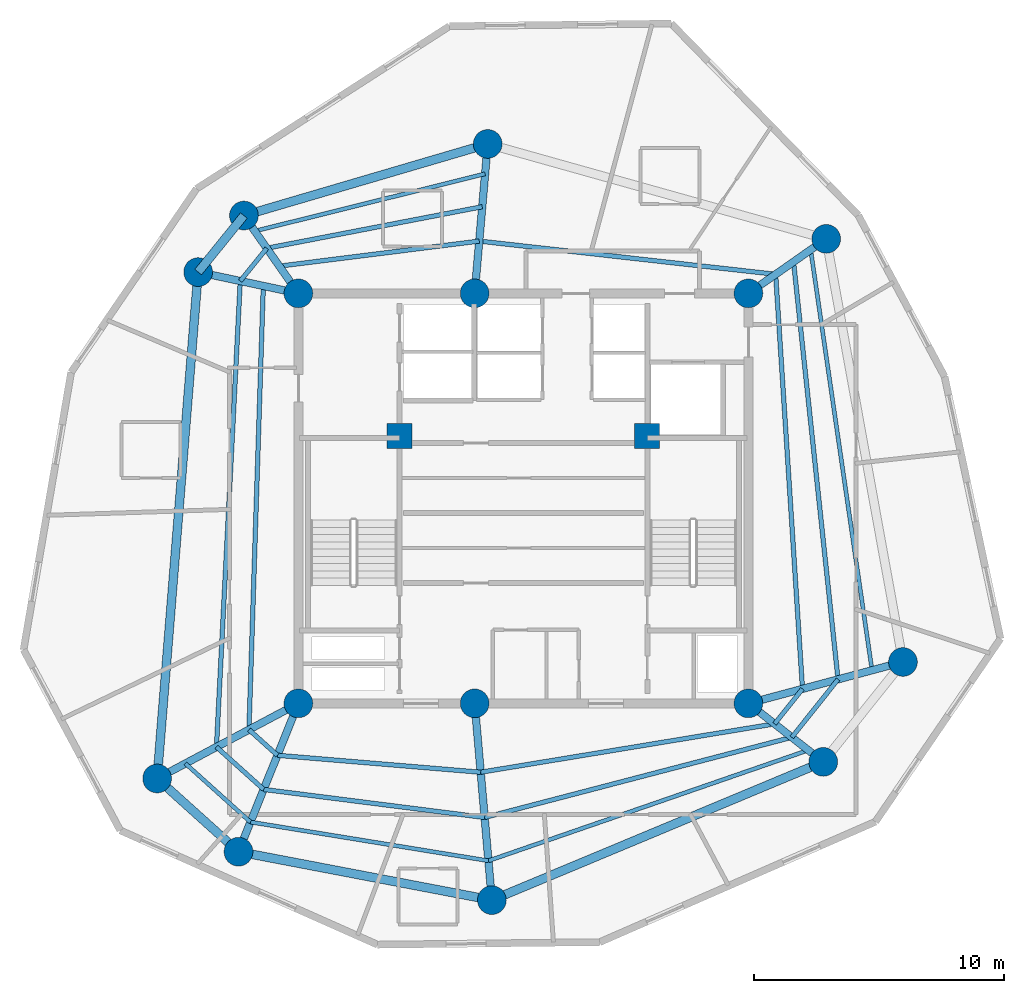
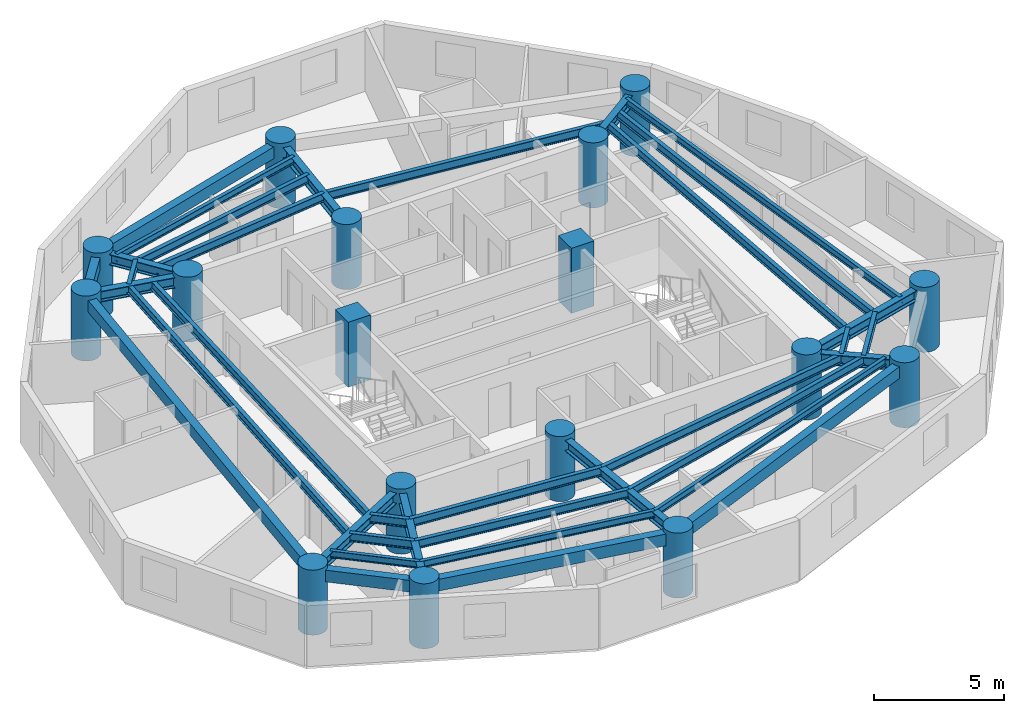
# One storey, part 1 of 7: 36 beams, 17 columns.
"""IFC4 building model written with IfcOpenShell, lengths in metres."""

import ifcopenshell
import ifcopenshell.guid

model = None  # the IFC model being written
_history = None  # IfcOwnerHistory: only IFC2X3 demands one
_inside = {}  # id of a spatial element -> (the spatial element, [elements in it])
_under = {}  # id of a project, library or spatial element -> (it, [spatial elements below it])
_declared = {}  # id of a project -> (the project, [libraries it declares])
_typed = {}  # id of a type object -> (the type object, [elements of that type])
_made_of = {}  # id of a material, layer set ... -> (it, [elements and type objects made of it])


def new_model(schema):
    """Start an empty IFC model of exactly this schema.

    Asked for "IFC4X3", IfcOpenShell would pick the latest addendum, in which some entities
    have other attributes; the version numbers below select the first issue.
    IFC2X3 requires an IfcOwnerHistory on every rooted entity: one is made here for all.
    """
    global model, _history
    if schema == "IFC4X3":
        model = ifcopenshell.file(schema_version=(4, 3, 0, 0))
    else:
        model = ifcopenshell.file(schema=schema)
    _inside.clear()
    _under.clear()
    _declared.clear()
    _typed.clear()
    _made_of.clear()
    _history = None
    if model.schema == "IFC2X3":
        org = make("IfcOrganization", Name="unknown")
        user = make(
            "IfcPersonAndOrganization",
            ThePerson=make("IfcPerson", FamilyName="unknown"),
            TheOrganization=org,
        )
        app = make(
            "IfcApplication",
            ApplicationDeveloper=org,
            Version="unknown",
            ApplicationFullName="unknown",
            ApplicationIdentifier="unknown",
        )
        _history = make(
            "IfcOwnerHistory",
            OwningUser=user,
            OwningApplication=app,
            ChangeAction="ADDED",
            CreationDate=0,
        )
    return model


def make(cls, **values):
    """One entity of the class cls with the attributes given. An attribute that is None is left unset."""
    return model.create_entity(
        cls, **{name: value for name, value in values.items() if value is not None}
    )


def rooted(cls, **values):
    """An entity with a GlobalId (a new one), such as an element, a storey or a relation."""
    return make(cls, GlobalId=ifcopenshell.guid.new(), OwnerHistory=_history, **values)


def si_unit(unit_type, name, prefix=None):
    """IfcSIUnit, for example si_unit("LENGTHUNIT", "METRE", prefix="MILLI")."""
    return make("IfcSIUnit", UnitType=unit_type, Prefix=prefix, Name=name)


def assignment(units):
    """IfcUnitAssignment: the units of a project."""
    return None if units is None else make("IfcUnitAssignment", Units=units)


def point(xyz):
    """IfcCartesianPoint."""
    return None if xyz is None else make("IfcCartesianPoint", Coordinates=xyz)


def direction(xyz):
    """IfcDirection."""
    return None if xyz is None else make("IfcDirection", DirectionRatios=xyz)


def frame(location, z_axis=None, x_axis=None):
    """IfcAxis2Placement3D, a coordinate frame: its origin and axes. An axis left out is left unset."""
    return make(
        "IfcAxis2Placement3D",
        Location=point(location),
        Axis=direction(z_axis),
        RefDirection=direction(x_axis),
    )


def frame_2d(location, x_axis=None):
    """IfcAxis2Placement2D, a coordinate frame in the plane: its origin and x axis."""
    return make(
        "IfcAxis2Placement2D", Location=point(location), RefDirection=direction(x_axis)
    )


def origin():
    """The frame at (0, 0, 0) with its axes left unset."""
    return frame((0.0, 0.0, 0.0))


def origin_with_axes():
    """The frame at (0, 0, 0) with the z axis (0, 0, 1) and the x axis (1, 0, 0) written out."""
    return frame((0.0, 0.0, 0.0), z_axis=(0.0, 0.0, 1.0), x_axis=(1.0, 0.0, 0.0))


def origin_2d():
    """The frame at (0, 0) in the plane with its x axis left unset."""
    return frame_2d((0.0, 0.0))


def place(relative_to, where):
    """IfcLocalPlacement: puts the frame where relative to a parent placement (None: the world)."""
    return make(
        "IfcLocalPlacement", PlacementRelTo=relative_to, RelativePlacement=where
    )


def context(
    kind, dimensions, precision=None, world=None, true_north=None, identifier=None
):
    """IfcGeometricRepresentationContext, for example the 3D "Model" context."""
    return make(
        "IfcGeometricRepresentationContext",
        ContextIdentifier=identifier,
        ContextType=kind,
        CoordinateSpaceDimension=dimensions,
        Precision=precision,
        WorldCoordinateSystem=world,
        TrueNorth=true_north,
    )


def subcontext(parent, identifier, kind, view, scale=None):
    """IfcGeometricRepresentationSubContext, for example "Body" below "Model"."""
    return make(
        "IfcGeometricRepresentationSubContext",
        ContextIdentifier=identifier,
        ContextType=kind,
        ParentContext=parent,
        TargetScale=scale,
        TargetView=view,
    )


def project(units=None, contexts=None):
    """IfcProject with its units and contexts."""
    return rooted(
        "IfcProject",
        Name="project",
        RepresentationContexts=contexts,
        UnitsInContext=assignment(units),
    )


def spatial(cls, under=None, at=None, **own):
    """A site, building, storey or space (cls), placed at a placement, below another one or the project."""
    s = rooted(cls, ObjectPlacement=at, **own)
    if under is not None:
        _under.setdefault(under.id(), (under, []))[1].append(s)
    return s


def profile(cls, at=None, kind="AREA", **sizes):
    """A parametric profile (cls). Its sizes go by their IFC names, for example OverallWidth=200.0."""
    return make(cls, ProfileType=kind, Position=at, **sizes)


def rectangle(**sizes):
    """IfcRectangleProfileDef."""
    return profile("IfcRectangleProfileDef", **sizes)


def circle(**sizes):
    """IfcCircleProfileDef."""
    return profile("IfcCircleProfileDef", **sizes)


def i_section(**sizes):
    """IfcIShapeProfileDef."""
    return profile("IfcIShapeProfileDef", **sizes)


def extrude(swept, where, along, depth):
    """IfcExtrudedAreaSolid: the profile swept, set in the frame where, extruded along a direction by depth."""
    return make(
        "IfcExtrudedAreaSolid",
        SweptArea=swept,
        Position=where,
        ExtrudedDirection=direction(along),
        Depth=depth,
    )


def shape(context_of_items, identifier, shape_type, items):
    """IfcShapeRepresentation: the items that make up one representation, for example the "Body"."""
    return make(
        "IfcShapeRepresentation",
        ContextOfItems=context_of_items,
        RepresentationIdentifier=identifier,
        RepresentationType=shape_type,
        Items=items,
    )


def source(mapping_origin, context_of_items, identifier, shape_type, items):
    """IfcRepresentationMap: a shape defined once, which mapped items show again and again."""
    return make(
        "IfcRepresentationMap",
        MappingOrigin=mapping_origin,
        MappedRepresentation=shape(context_of_items, identifier, shape_type, items),
    )


def transform(
    local_origin,
    x_axis=None,
    y_axis=None,
    z_axis=None,
    scale=None,
    scale2=None,
    scale3=None,
    uniform=True,
):
    """IfcCartesianTransformationOperator3D, or its non-uniform kind. x_axis, y_axis, z_axis: its Axis1, 2, 3."""
    if uniform:
        return make(
            "IfcCartesianTransformationOperator3D",
            Axis1=direction(x_axis),
            Axis2=direction(y_axis),
            LocalOrigin=point(local_origin),
            Scale=scale,
            Axis3=direction(z_axis),
        )
    return make(
        "IfcCartesianTransformationOperator3DnonUniform",
        Axis1=direction(x_axis),
        Axis2=direction(y_axis),
        LocalOrigin=point(local_origin),
        Scale=scale,
        Axis3=direction(z_axis),
        Scale2=scale2,
        Scale3=scale3,
    )


def mapped(mapping_source, mapping_target):
    """IfcMappedItem: shows the shape of a source again, moved by a transform."""
    return make(
        "IfcMappedItem", MappingSource=mapping_source, MappingTarget=mapping_target
    )


def material(Name=None, Category=None):
    """IfcMaterial."""
    return make("IfcMaterial", Name=Name, Category=Category)


def material_profile(
    of_material, cross_section, Name=None, Category=None, Priority=None
):
    """IfcMaterialProfile: a cross section and its material."""
    return make(
        "IfcMaterialProfile",
        Name=Name,
        Material=of_material,
        Profile=cross_section,
        Priority=Priority,
        Category=Category,
    )


def profile_set(profiles, Name=None, composite=None):
    """IfcMaterialProfileSet."""
    return make(
        "IfcMaterialProfileSet",
        Name=Name,
        MaterialProfiles=profiles,
        CompositeProfile=composite,
    )


def made_of(thing, what):
    """Note that an element or type object is made of a material, layer set ...; save() writes the relation."""
    if what is not None:
        _made_of.setdefault(what.id(), (what, []))[1].append(thing)
    return thing


def type_object(cls, material=None, **own):
    """A type object (cls), such as IfcWallType, which elements share."""
    return made_of(rooted(cls, **own), material)


def element(
    cls,
    number,
    at=None,
    inside=None,
    cuts=None,
    type_object=None,
    material=None,
    context=None,
    identifier="Body",
    shape_type=None,
    held_by="IfcProductDefinitionShape",
    body=None,
    shapes=None,
    **own,
):
    """One element of the class cls, such as IfcWall. Its Tag is "e" and its number.

    at: its placement. inside: the storey or other place that contains it. cuts: it is an
    opening in that element (IfcRelVoidsElement). A single representation is given by context,
    identifier, shape_type and body (its items); several are given by shapes. held_by: the class
    of the entity that holds the representations. save() writes the other relations.
    """
    e = rooted(cls, Tag="e%d" % number, ObjectPlacement=at, **own)
    if body is not None:
        shapes = [shape(context, identifier, shape_type, body)]
    if shapes is not None:
        e.Representation = make(held_by, Representations=shapes)
    if inside is not None:
        _inside.setdefault(inside.id(), (inside, []))[1].append(e)
    if cuts is not None:
        rooted(
            "IfcRelVoidsElement", RelatingBuildingElement=cuts, RelatedOpeningElement=e
        )
    if type_object is not None:
        _typed.setdefault(type_object.id(), (type_object, []))[1].append(e)
    return made_of(e, material)


def aggregate(whole, parts):
    """IfcRelAggregates: a whole, such as a stair, and the parts it consists of."""
    return rooted("IfcRelAggregates", RelatingObject=whole, RelatedObjects=parts)


def save(model, path):
    """Write the relations noted so far, then the file.

    IfcRelAggregates (storeys below a building ...), IfcRelContainedInSpatialStructure (elements
    in a storey), IfcRelDefinesByType, IfcRelAssociatesMaterial and IfcRelDeclares: one each for
    every whole, place, type object, material and project.
    """
    for whole, parts in _under.values():
        aggregate(whole, parts)
    for where, things in _inside.values():
        rooted(
            "IfcRelContainedInSpatialStructure",
            RelatedElements=things,
            RelatingStructure=where,
        )
    for kind, things in _typed.values():
        rooted("IfcRelDefinesByType", RelatedObjects=things, RelatingType=kind)
    for what, things in _made_of.values():
        rooted("IfcRelAssociatesMaterial", RelatedObjects=things, RelatingMaterial=what)
    for by, libraries in _declared.values():
        rooted("IfcRelDeclares", RelatingContext=by, RelatedDefinitions=libraries)
    model.write(path)


model = new_model("IFC4")

# Units and contexts
model_context = context("Model", 3, precision=1e-05, world=origin(), true_north=direction((0.0, 1.0)))
body_context = subcontext(model_context, "Body", "Model", "MODEL_VIEW")
ifc_project = project(units=[si_unit("LENGTHUNIT", "METRE"), si_unit("AREAUNIT", "SQUARE_METRE"), si_unit("VOLUMEUNIT", "CUBIC_METRE"), si_unit("PLANEANGLEUNIT", "RADIAN"), si_unit("MASSUNIT", "GRAM", prefix="KILO")], contexts=[model_context])

# Site, building, storey
site_placement = place(None, origin())
site = spatial("IfcSite", under=ifc_project, at=site_placement, CompositionType="ELEMENT")
building_placement = place(site_placement, origin())
building = spatial("IfcBuilding", under=site, at=building_placement, Name="Karkom Vertical University and Central Library", CompositionType="ELEMENT")
storey_placement = place(building_placement, frame((0.0, 0.0, 256.550048828125)))
storey = spatial("IfcBuildingStorey", under=building, at=storey_placement, Name="L76", CompositionType="ELEMENT", Elevation=256.550048828125)

# Columns
ifc_material_1 = material(Name="Concrete C50/60", Category="concrete")
ifc_material_profile_1 = material_profile(ifc_material_1, rectangle(XDim=1.0, YDim=1.0, at=origin_2d()), Name="RC-1000x1000")
ifc_profile_set_1 = profile_set([ifc_material_profile_1], Name="Concrete C50/60")
column_type_1 = type_object("IfcColumnType", Name="STR-COL-C-CC2", PredefinedType="COLUMN", material=ifc_profile_set_1)
shared_shape_1 = source(origin_with_axes(), body_context, "Body", "SweptSolid", [
    extrude(rectangle(XDim=1.0, YDim=1.0, at=origin_2d()), origin(), (0.0, 0.0, 1.0), 3.050048828125),
])
for number, where, z_axis, x_axis, name in (
    (1, (23.550048828125, 29.0, 0.0), (0.0, 0.0, 1.0), (1.0, 0.0, 0.0), "Level 76 Core Node Column CC-1"),
    (2, (33.449951171875, 29.0, 0.0), (0.0, 0.0, 1.0), (1.0, 0.0, 0.0), "Level 76 Core Node Column CC-2"),
):
    element("IfcColumn", number, at=place(storey_placement, frame(where, z_axis=z_axis, x_axis=x_axis)), inside=storey, type_object=column_type_1, Name=name, PredefinedType="COLUMN", context=body_context, shape_type="MappedRepresentation", body=[
        mapped(shared_shape_1, transform((0.0, 0.0, 0.0), scale=1.0)),
    ])
ifc_material_2 = material(Name="Concrete C45/55", Category="concrete")
ifc_material_profile_2 = material_profile(ifc_material_2, circle(Radius=0.574951171875, at=origin_2d()), Name="CFT-D1150")
ifc_profile_set_2 = profile_set([ifc_material_profile_2], Name="Concrete C45/55")
column_type_2 = type_object("IfcColumnType", Name="STR-COL-C-SC5", PredefinedType="COLUMN", material=ifc_profile_set_2)
shared_shape_2 = source(origin_with_axes(), body_context, "Body", "SweptSolid", [
    extrude(circle(Radius=0.574951171875, at=origin_2d()), origin(), (0.0, 0.0, 1.0), 3.050048828125),
])
for number, where, z_axis, x_axis, name in (
    (3, (19.5, 18.300048828125, 0.0), (0.0, 0.0, 1.0), (1.0, 0.0, 0.0), "Level 76 Spine Mega-Column SC-1"),
    (4, (26.550048828125, 18.300048828125, 0.0), (0.0, 0.0, 1.0), (1.0, 0.0, 0.0), "Level 76 Spine Mega-Column SC-2"),
    (5, (37.5, 18.300048828125, 0.0), (0.0, 0.0, 1.0), (1.0, 0.0, 0.0), "Level 76 Spine Mega-Column SC-3"),
    (6, (19.5, 34.699951171875, 0.0), (0.0, 0.0, 1.0), (1.0, 0.0, 0.0), "Level 76 Spine Mega-Column SC-4"),
    (7, (26.550048828125, 34.699951171875, 0.0), (0.0, 0.0, 1.0), (1.0, 0.0, 0.0), "Level 76 Spine Mega-Column SC-5"),
    (8, (37.5, 34.699951171875, 0.0), (0.0, 0.0, 1.0), (1.0, 0.0, 0.0), "Level 76 Spine Mega-Column SC-6"),
    (9, (43.681884765625, 19.9560546875, 0.0), (0.0, 0.0, 1.0), (1.0, 0.0, 0.0), "Level 76 Perimeter Mega-Column Z4-PC1"),
    (10, (40.613037109375, 36.8798828125, 0.0), (0.0, 0.0, 1.0), (1.0, 0.0, 0.0), "Level 76 Perimeter Mega-Column Z4-PC2"),
    (11, (27.072998046875, 40.677001953125, 0.0), (0.0, 0.0, 1.0), (1.0, 0.0, 0.0), "Level 76 Perimeter Mega-Column Z4-PC3"),
    (12, (17.320068359375, 37.81298828125, 0.0), (0.0, 0.0, 1.0), (1.0, 0.0, 0.0), "Level 76 Perimeter Mega-Column Z4-PC4"),
    (13, (15.489990234375, 35.552001953125, 0.0), (0.0, 0.0, 1.0), (1.0, 0.0, 0.0), "Level 76 Perimeter Mega-Column Z4-PC5"),
    (14, (13.84912109375, 15.294921875, 0.0), (0.0, 0.0, 1.0), (1.0, 0.0, 0.0), "Level 76 Perimeter Mega-Column Z4-PC6"),
    (15, (17.10302734375, 12.365966796875, 0.0), (0.0, 0.0, 1.0), (1.0, 0.0, 0.0), "Level 76 Perimeter Mega-Column Z4-PC7"),
    (16, (27.239013671875, 10.429931640625, 0.0), (0.0, 0.0, 1.0), (1.0, 0.0, 0.0), "Level 76 Perimeter Mega-Column Z4-PC8"),
    (17, (40.493896484375, 15.9599609375, 0.0), (0.0, 0.0, 1.0), (1.0, 0.0, 0.0), "Level 76 Perimeter Mega-Column Z4-PC9"),
):
    element("IfcColumn", number, at=place(storey_placement, frame(where, z_axis=z_axis, x_axis=x_axis)), inside=storey, type_object=column_type_2, Name=name, PredefinedType="COLUMN", context=body_context, shape_type="MappedRepresentation", body=[
        mapped(shared_shape_2, transform((0.0, 0.0, 0.0), scale=1.0)),
    ])

# Beams
ifc_material_3 = material(Name="Precast concrete C45/55", Category="concrete")
ifc_material_profile_3 = material_profile(ifc_material_3, rectangle(XDim=0.35009765625, YDim=0.550048828125, at=origin_2d()), Name="SPB-350x550")
ifc_profile_set_3 = profile_set([ifc_material_profile_3], Name="Precast concrete C45/55")
beam_type_1 = type_object("IfcBeamType", Name="STR-BM-SP-2", PredefinedType="SPANDREL", material=ifc_profile_set_3)
shared_shape_3 = source(origin_with_axes(), body_context, "Body", "SweptSolid", [
    extrude(rectangle(XDim=0.35009765625, YDim=0.550048828125, at=origin_2d()), origin(), (0.0, 0.0, 1.0), 10.164794921875),
])
beam_1_placement = place(storey_placement, frame((27.072998046875, 40.677001953125, 2.574951171875), z_axis=(-0.959485124536, -0.281759286971, 0.0), x_axis=(0.281759286971, -0.959485124536, 0.0)))
element("IfcBeam", 18, at=beam_1_placement, inside=storey, type_object=beam_type_1, Name="Level 76 Perimeter Spandrel Beam 03", PredefinedType="SPANDREL", context=body_context, shape_type="MappedRepresentation", body=[
    mapped(shared_shape_3, transform((0.0, 0.0, 0.0), scale=1.0)),
])
shared_shape_4 = source(origin_with_axes(), body_context, "Body", "SweptSolid", [
    extrude(rectangle(XDim=0.35009765625, YDim=0.550048828125, at=origin_2d()), origin(), (0.0, 0.0, 1.0), 2.908935546875),
])
beam_2_placement = place(storey_placement, frame((17.320068359375, 37.81298828125, 2.574951171875), z_axis=(-0.629147523747, -0.777285914811, 0.0), x_axis=(0.777285914811, -0.629147523747, 0.0)))
element("IfcBeam", 19, at=beam_2_placement, inside=storey, type_object=beam_type_1, Name="Level 76 Perimeter Spandrel Beam 04", PredefinedType="SPANDREL", context=body_context, shape_type="MappedRepresentation", body=[
    mapped(shared_shape_4, transform((0.0, 0.0, 0.0), scale=1.0)),
])
shared_shape_5 = source(origin_with_axes(), body_context, "Body", "SweptSolid", [
    extrude(rectangle(XDim=0.35009765625, YDim=0.550048828125, at=origin_2d()), origin(), (0.0, 0.0, 1.0), 20.323486328125),
])
beam_3_placement = place(storey_placement, frame((15.489990234375, 35.552001953125, 2.574951171875), z_axis=(-0.080737811681, -0.996735373991, 0.0), x_axis=(0.996735373991, -0.080737811681, 0.0)))
element("IfcBeam", 20, at=beam_3_placement, inside=storey, type_object=beam_type_1, Name="Level 76 Perimeter Spandrel Beam 05", PredefinedType="SPANDREL", context=body_context, shape_type="MappedRepresentation", body=[
    mapped(shared_shape_5, transform((0.0, 0.0, 0.0), scale=1.0)),
])
shared_shape_6 = source(origin_with_axes(), body_context, "Body", "SweptSolid", [
    extrude(rectangle(XDim=0.35009765625, YDim=0.550048828125, at=origin_2d()), origin(), (0.0, 0.0, 1.0), 4.3779296875),
])
beam_4_placement = place(storey_placement, frame((13.84912109375, 15.294921875, 2.574951171875), z_axis=(0.743244232405, -0.669020187287, 0.0), x_axis=(0.669020187287, 0.743244232405, 0.0)))
element("IfcBeam", 21, at=beam_4_placement, inside=storey, type_object=beam_type_1, Name="Level 76 Perimeter Spandrel Beam 06", PredefinedType="SPANDREL", context=body_context, shape_type="MappedRepresentation", body=[
    mapped(shared_shape_6, transform((0.0, 0.0, 0.0), scale=1.0)),
])
shared_shape_7 = source(origin_with_axes(), body_context, "Body", "SweptSolid", [
    extrude(rectangle(XDim=0.35009765625, YDim=0.550048828125, at=origin_2d()), origin(), (0.0, 0.0, 1.0), 10.3193359375),
])
beam_5_placement = place(storey_placement, frame((17.10302734375, 12.365966796875, 2.574951171875), z_axis=(0.982242767385, -0.187614354249, 0.0), x_axis=(0.187614354249, 0.982242767385, 0.0)))
element("IfcBeam", 22, at=beam_5_placement, inside=storey, type_object=beam_type_1, Name="Level 76 Perimeter Spandrel Beam 07", PredefinedType="SPANDREL", context=body_context, shape_type="MappedRepresentation", body=[
    mapped(shared_shape_7, transform((0.0, 0.0, 0.0), scale=1.0)),
])
shared_shape_8 = source(origin_with_axes(), body_context, "Body", "SweptSolid", [
    extrude(rectangle(XDim=0.35009765625, YDim=0.550048828125, at=origin_2d()), origin(), (0.0, 0.0, 1.0), 14.3623046875),
])
beam_6_placement = place(storey_placement, frame((27.239013671875, 10.429931640625, 2.574951171875), z_axis=(0.922899796194, 0.385040213725, 0.0), x_axis=(-0.385040213725, 0.922899796194, 0.0)))
element("IfcBeam", 23, at=beam_6_placement, inside=storey, type_object=beam_type_1, Name="Level 76 Perimeter Spandrel Beam 08", PredefinedType="SPANDREL", context=body_context, shape_type="MappedRepresentation", body=[
    mapped(shared_shape_8, transform((0.0, 0.0, 0.0), scale=1.0)),
])
ifc_material_4 = material(Name="Steel S355", Category="steel")
ifc_material_profile_4 = material_profile(ifc_material_4, i_section(OverallWidth=0.179931640625, OverallDepth=0.39990234375, WebThickness=0.008544921875, FlangeThickness=0.013427734375, FilletRadius=0.02099609375, at=origin_2d()), Name="IPE 400")
ifc_profile_set_4 = profile_set([ifc_material_profile_4], Name="Steel S355")
beam_type_2 = type_object("IfcBeamType", Name="STR-BM-SB-IPE400", PredefinedType="BEAM", material=ifc_profile_set_4)
shared_shape_9 = source(origin_with_axes(), body_context, "Body", "SweptSolid", [
    extrude(i_section(OverallWidth=0.179931640625, OverallDepth=0.39990234375, WebThickness=0.008544921875, FlangeThickness=0.013427734375, FilletRadius=0.02099609375, at=origin_2d()), origin(), (0.0, 0.0, 1.0), 16.617919921875),
])
beam_7_placement = place(storey_placement, frame((39.663818359375, 18.879638671875, 2.64990234375), z_axis=(-0.064641848008, 0.997908528617, 0.0), x_axis=(-0.997908528617, -0.064641848008, 0.0)))
element("IfcBeam", 24, at=beam_7_placement, inside=storey, type_object=beam_type_2, Name="Level 76 Secondary Composite Floor Beam 1.01", PredefinedType="BEAM", context=body_context, shape_type="MappedRepresentation", body=[
    mapped(shared_shape_9, transform((0.0, 0.0, 0.0), scale=1.0)),
])
shared_shape_10 = source(origin_with_axes(), body_context, "Body", "SweptSolid", [
    extrude(i_section(OverallWidth=0.179931640625, OverallDepth=0.39990234375, WebThickness=0.008544921875, FlangeThickness=0.013427734375, FilletRadius=0.02099609375, at=origin_2d()), origin(), (0.0, 0.0, 1.0), 11.9306640625),
])
beam_8_placement = place(storey_placement, frame((38.589599609375, 35.462890625, 2.64990234375), z_axis=(-0.993775454886, 0.11140172919, 0.0), x_axis=(-0.11140172919, -0.993775454886, 0.0)))
element("IfcBeam", 25, at=beam_8_placement, inside=storey, type_object=beam_type_2, Name="Level 76 Secondary Composite Floor Beam 1.02", PredefinedType="BEAM", context=body_context, shape_type="MappedRepresentation", body=[
    mapped(shared_shape_10, transform((0.0, 0.0, 0.0), scale=1.0)),
])
shared_shape_11 = source(origin_with_axes(), body_context, "Body", "SweptSolid", [
    extrude(i_section(OverallWidth=0.179931640625, OverallDepth=0.39990234375, WebThickness=0.008544921875, FlangeThickness=0.013427734375, FilletRadius=0.02099609375, at=origin_2d()), origin(), (0.0, 0.0, 1.0), 8.05859375),
])
beam_9_placement = place(storey_placement, frame((26.733154296875, 36.7919921875, 2.64990234375), z_axis=(-0.99223306826, -0.124392677646, 0.0), x_axis=(0.124392677646, -0.99223306826, 0.0)))
element("IfcBeam", 26, at=beam_9_placement, inside=storey, type_object=beam_type_2, Name="Level 76 Secondary Composite Floor Beam 1.03", PredefinedType="BEAM", context=body_context, shape_type="MappedRepresentation", body=[
    mapped(shared_shape_11, transform((0.0, 0.0, 0.0), scale=1.0)),
])
shared_shape_12 = source(origin_with_axes(), body_context, "Body", "SweptSolid", [
    extrude(i_section(OverallWidth=0.179931640625, OverallDepth=0.39990234375, WebThickness=0.008544921875, FlangeThickness=0.013427734375, FilletRadius=0.02099609375, at=origin_2d()), origin(), (0.0, 0.0, 1.0), 17.75927734375),
])
beam_10_placement = place(storey_placement, frame((18.096435546875, 34.998291015625, 2.64990234375), z_axis=(-0.032333437334, -0.999477137723, 0.0), x_axis=(0.999477137723, -0.032333437334, 0.0)))
element("IfcBeam", 27, at=beam_10_placement, inside=storey, type_object=beam_type_2, Name="Level 76 Secondary Composite Floor Beam 1.05", PredefinedType="BEAM", context=body_context, shape_type="MappedRepresentation", body=[
    mapped(shared_shape_12, transform((0.0, 0.0, 0.0), scale=1.0)),
])
shared_shape_13 = source(origin_with_axes(), body_context, "Body", "SweptSolid", [
    extrude(i_section(OverallWidth=0.179931640625, OverallDepth=0.39990234375, WebThickness=0.008544921875, FlangeThickness=0.013427734375, FilletRadius=0.02099609375, at=origin_2d()), origin(), (0.0, 0.0, 1.0), 1.5322265625),
])
beam_11_placement = place(storey_placement, frame((17.522216796875, 17.248291015625, 2.64990234375), z_axis=(0.743183211059, -0.669087972392, 0.0), x_axis=(0.669087972392, 0.743183211059, 0.0)))
element("IfcBeam", 28, at=beam_11_placement, inside=storey, type_object=beam_type_2, Name="Level 76 Secondary Composite Floor Beam 1.06", PredefinedType="BEAM", context=body_context, shape_type="MappedRepresentation", body=[
    mapped(shared_shape_13, transform((0.0, 0.0, 0.0), scale=1.0)),
])
shared_shape_14 = source(origin_with_axes(), body_context, "Body", "SweptSolid", [
    extrude(i_section(OverallWidth=0.179931640625, OverallDepth=0.39990234375, WebThickness=0.008544921875, FlangeThickness=0.013427734375, FilletRadius=0.02099609375, at=origin_2d()), origin(), (0.0, 0.0, 1.0), 8.15869140625),
])
beam_12_placement = place(storey_placement, frame((18.660888671875, 16.22314453125, 2.64990234375), z_axis=(0.996543694183, -0.083070244882, 0.0), x_axis=(0.083070244882, 0.996543694183, 0.0)))
element("IfcBeam", 29, at=beam_12_placement, inside=storey, type_object=beam_type_2, Name="Level 76 Secondary Composite Floor Beam 1.07", PredefinedType="BEAM", context=body_context, shape_type="MappedRepresentation", body=[
    mapped(shared_shape_14, transform((0.0, 0.0, 0.0), scale=1.0)),
])
shared_shape_15 = source(origin_with_axes(), body_context, "Body", "SweptSolid", [
    extrude(i_section(OverallWidth=0.179931640625, OverallDepth=0.39990234375, WebThickness=0.008544921875, FlangeThickness=0.013427734375, FilletRadius=0.02099609375, at=origin_2d()), origin(), (0.0, 0.0, 1.0), 11.914794921875),
])
beam_13_placement = place(storey_placement, frame((26.791259765625, 15.54541015625, 2.64990234375), z_axis=(0.986717073469, 0.162448197663, 0.0), x_axis=(-0.162448197663, 0.986717073469, 0.0)))
element("IfcBeam", 30, at=beam_13_placement, inside=storey, type_object=beam_type_2, Name="Level 76 Secondary Composite Floor Beam 1.08", PredefinedType="BEAM", context=body_context, shape_type="MappedRepresentation", body=[
    mapped(shared_shape_15, transform((0.0, 0.0, 0.0), scale=1.0)),
])
shared_shape_16 = source(origin_with_axes(), body_context, "Body", "SweptSolid", [
    extrude(i_section(OverallWidth=0.179931640625, OverallDepth=0.39990234375, WebThickness=0.008544921875, FlangeThickness=0.013427734375, FilletRadius=0.02099609375, at=origin_2d()), origin(), (0.0, 0.0, 1.0), 1.789306640625),
])
beam_14_placement = place(storey_placement, frame((38.5478515625, 17.48095703125, 2.64990234375), z_axis=(0.623679519349, 0.781680150154, 0.0), x_axis=(-0.781680150154, 0.623679519349, 0.0)))
element("IfcBeam", 31, at=beam_14_placement, inside=storey, type_object=beam_type_2, Name="Level 76 Secondary Composite Floor Beam 1.09", PredefinedType="BEAM", context=body_context, shape_type="MappedRepresentation", body=[
    mapped(shared_shape_16, transform((0.0, 0.0, 0.0), scale=1.0)),
])
shared_shape_17 = source(origin_with_axes(), body_context, "Body", "SweptSolid", [
    extrude(i_section(OverallWidth=0.179931640625, OverallDepth=0.39990234375, WebThickness=0.008544921875, FlangeThickness=0.013427734375, FilletRadius=0.02099609375, at=origin_2d()), origin(), (0.0, 0.0, 1.0), 16.79833984375),
])
beam_15_placement = place(storey_placement, frame((41.085693359375, 19.260498046875, 2.64990234375), z_axis=(-0.105978377704, 0.994368434464, 0.0), x_axis=(-0.994368434464, -0.105978377704, 0.0)))
element("IfcBeam", 32, at=beam_15_placement, inside=storey, type_object=beam_type_2, Name="Level 76 Secondary Composite Floor Beam 2.01", PredefinedType="BEAM", context=body_context, shape_type="MappedRepresentation", body=[
    mapped(shared_shape_17, transform((0.0, 0.0, 0.0), scale=1.0)),
])
shared_shape_18 = source(origin_with_axes(), body_context, "Body", "SweptSolid", [
    extrude(i_section(OverallWidth=0.179931640625, OverallDepth=0.39990234375, WebThickness=0.008544921875, FlangeThickness=0.013427734375, FilletRadius=0.02099609375, at=origin_2d()), origin(), (0.0, 0.0, 1.0), 8.7763671875),
])
beam_16_placement = place(storey_placement, frame((26.853271484375, 38.166748046875, 2.64990234375), z_axis=(-0.981924209256, -0.189274528862, 0.0), x_axis=(0.189274528862, -0.981924209256, 0.0)))
element("IfcBeam", 33, at=beam_16_placement, inside=storey, type_object=beam_type_2, Name="Level 76 Secondary Composite Floor Beam 2.03", PredefinedType="BEAM", context=body_context, shape_type="MappedRepresentation", body=[
    mapped(shared_shape_18, transform((0.0, 0.0, 0.0), scale=1.0)),
])
shared_shape_19 = source(origin_with_axes(), body_context, "Body", "SweptSolid", [
    extrude(i_section(OverallWidth=0.179931640625, OverallDepth=0.39990234375, WebThickness=0.008544921875, FlangeThickness=0.013427734375, FilletRadius=0.02099609375, at=origin_2d()), origin(), (0.0, 0.0, 1.0), 1.68701171875),
])
beam_17_placement = place(storey_placement, frame((18.235595703125, 36.505615234375, 2.64990234375), z_axis=(-0.629044191861, -0.777369541908, 0.0), x_axis=(0.777369541908, -0.629044191861, 0.0)))
element("IfcBeam", 34, at=beam_17_placement, inside=storey, type_object=beam_type_2, Name="Level 76 Secondary Composite Floor Beam 2.04", PredefinedType="BEAM", context=body_context, shape_type="MappedRepresentation", body=[
    mapped(shared_shape_19, transform((0.0, 0.0, 0.0), scale=1.0)),
])
shared_shape_20 = source(origin_with_axes(), body_context, "Body", "SweptSolid", [
    extrude(i_section(OverallWidth=0.179931640625, OverallDepth=0.39990234375, WebThickness=0.008544921875, FlangeThickness=0.013427734375, FilletRadius=0.02099609375, at=origin_2d()), origin(), (0.0, 0.0, 1.0), 18.661376953125),
])
beam_18_placement = place(storey_placement, frame((17.17431640625, 35.194091796875, 2.64990234375), z_axis=(-0.051009656211, -0.998698160093, 0.0), x_axis=(0.998698160093, -0.051009656211, 0.0)))
element("IfcBeam", 35, at=beam_18_placement, inside=storey, type_object=beam_type_2, Name="Level 76 Secondary Composite Floor Beam 2.05", PredefinedType="BEAM", context=body_context, shape_type="MappedRepresentation", body=[
    mapped(shared_shape_20, transform((0.0, 0.0, 0.0), scale=1.0)),
])
shared_shape_21 = source(origin_with_axes(), body_context, "Body", "SweptSolid", [
    extrude(i_section(OverallWidth=0.179931640625, OverallDepth=0.39990234375, WebThickness=0.008544921875, FlangeThickness=0.013427734375, FilletRadius=0.02099609375, at=origin_2d()), origin(), (0.0, 0.0, 1.0), 2.5390625),
])
beam_19_placement = place(storey_placement, frame((16.222412109375, 16.55712890625, 2.64990234375), z_axis=(0.743246334517, -0.669017851949, 0.0), x_axis=(0.669017851949, 0.743246334517, 0.0)))
element("IfcBeam", 36, at=beam_19_placement, inside=storey, type_object=beam_type_2, Name="Level 76 Secondary Composite Floor Beam 2.06", PredefinedType="BEAM", context=body_context, shape_type="MappedRepresentation", body=[
    mapped(shared_shape_21, transform((0.0, 0.0, 0.0), scale=1.0)),
])
shared_shape_22 = source(origin_with_axes(), body_context, "Body", "SweptSolid", [
    extrude(i_section(OverallWidth=0.179931640625, OverallDepth=0.39990234375, WebThickness=0.008544921875, FlangeThickness=0.013427734375, FilletRadius=0.02099609375, at=origin_2d()), origin(), (0.0, 0.0, 1.0), 8.9111328125),
])
beam_20_placement = place(storey_placement, frame((18.109619140625, 14.8583984375, 2.64990234375), z_axis=(0.992026771403, -0.126027317751, 0.0), x_axis=(0.126027317751, 0.992026771403, 0.0)))
element("IfcBeam", 37, at=beam_20_placement, inside=storey, type_object=beam_type_2, Name="Level 76 Secondary Composite Floor Beam 2.07", PredefinedType="BEAM", context=body_context, shape_type="MappedRepresentation", body=[
    mapped(shared_shape_22, transform((0.0, 0.0, 0.0), scale=1.0)),
])
shared_shape_23 = source(origin_with_axes(), body_context, "Body", "SweptSolid", [
    extrude(i_section(OverallWidth=0.179931640625, OverallDepth=0.39990234375, WebThickness=0.008544921875, FlangeThickness=0.013427734375, FilletRadius=0.02099609375, at=origin_2d()), origin(), (0.0, 0.0, 1.0), 12.69873046875),
])
beam_21_placement = place(storey_placement, frame((26.94970703125, 13.7353515625, 2.64990234375), z_axis=(0.967573974729, 0.252587813301, 0.0), x_axis=(-0.252587813301, 0.967573974729, 0.0)))
element("IfcBeam", 38, at=beam_21_placement, inside=storey, type_object=beam_type_2, Name="Level 76 Secondary Composite Floor Beam 2.08", PredefinedType="BEAM", context=body_context, shape_type="MappedRepresentation", body=[
    mapped(shared_shape_23, transform((0.0, 0.0, 0.0), scale=1.0)),
])
shared_shape_24 = source(origin_with_axes(), body_context, "Body", "SweptSolid", [
    extrude(i_section(OverallWidth=0.179931640625, OverallDepth=0.39990234375, WebThickness=0.008544921875, FlangeThickness=0.013427734375, FilletRadius=0.02099609375, at=origin_2d()), origin(), (0.0, 0.0, 1.0), 2.96484375),
])
beam_22_placement = place(storey_placement, frame((39.236572265625, 16.94287109375, 2.64990234375), z_axis=(0.623670236397, 0.781687556657, 0.0), x_axis=(-0.781687556657, 0.623670236397, 0.0)))
element("IfcBeam", 39, at=beam_22_placement, inside=storey, type_object=beam_type_2, Name="Level 76 Secondary Composite Floor Beam 2.09", PredefinedType="BEAM", context=body_context, shape_type="MappedRepresentation", body=[
    mapped(shared_shape_24, transform((0.0, 0.0, 0.0), scale=1.0)),
])
ifc_material_profile_5 = material_profile(ifc_material_4, i_section(OverallWidth=0.159912109375, OverallDepth=0.330078125, WebThickness=0.007568359375, FlangeThickness=0.011474609375, FilletRadius=0.01806640625, at=origin_2d()), Name="IPE 330")
ifc_profile_set_5 = profile_set([ifc_material_profile_5], Name="Steel S355")
beam_type_3 = type_object("IfcBeamType", Name="STR-BM-SB-IPE330", PredefinedType="BEAM", material=ifc_profile_set_5)
shared_shape_25 = source(origin_with_axes(), body_context, "Body", "SweptSolid", [
    extrude(i_section(OverallWidth=0.159912109375, OverallDepth=0.330078125, WebThickness=0.007568359375, FlangeThickness=0.011474609375, FilletRadius=0.01806640625, at=origin_2d()), origin(), (0.0, 0.0, 1.0), 16.99755859375),
])
beam_23_placement = place(storey_placement, frame((42.445556640625, 19.624755859375, 2.68505859375), z_axis=(-0.144436985275, 0.98951400055, 0.0), x_axis=(-0.98951400055, -0.144436985275, 0.0)))
element("IfcBeam", 40, at=beam_23_placement, inside=storey, type_object=beam_type_3, Name="Level 76 Secondary Composite Floor Beam 3.01", PredefinedType="BEAM", context=body_context, shape_type="MappedRepresentation", body=[
    mapped(shared_shape_25, transform((0.0, 0.0, 0.0), scale=1.0)),
])
shared_shape_26 = source(origin_with_axes(), body_context, "Body", "SweptSolid", [
    extrude(i_section(OverallWidth=0.159912109375, OverallDepth=0.330078125, WebThickness=0.007568359375, FlangeThickness=0.011474609375, FilletRadius=0.01806640625, at=origin_2d()), origin(), (0.0, 0.0, 1.0), 9.4931640625),
])
beam_24_placement = place(storey_placement, frame((26.968505859375, 39.481689453125, 2.68505859375), z_axis=(-0.970435275293, -0.241361505767, 0.0), x_axis=(0.241361505767, -0.970435275293, 0.0)))
element("IfcBeam", 41, at=beam_24_placement, inside=storey, type_object=beam_type_3, Name="Level 76 Secondary Composite Floor Beam 3.03", PredefinedType="BEAM", context=body_context, shape_type="MappedRepresentation", body=[
    mapped(shared_shape_26, transform((0.0, 0.0, 0.0), scale=1.0)),
])
shared_shape_27 = source(origin_with_axes(), body_context, "Body", "SweptSolid", [
    extrude(i_section(OverallWidth=0.159912109375, OverallDepth=0.330078125, WebThickness=0.007568359375, FlangeThickness=0.011474609375, FilletRadius=0.01806640625, at=origin_2d()), origin(), (0.0, 0.0, 1.0), 3.50244140625),
])
beam_25_placement = place(storey_placement, frame((14.979248046875, 15.89599609375, 2.68505859375), z_axis=(0.743249087562, -0.669014793437, 0.0), x_axis=(0.669014793437, 0.743249087562, 0.0)))
element("IfcBeam", 42, at=beam_25_placement, inside=storey, type_object=beam_type_3, Name="Level 76 Secondary Composite Floor Beam 3.06", PredefinedType="BEAM", context=body_context, shape_type="MappedRepresentation", body=[
    mapped(shared_shape_27, transform((0.0, 0.0, 0.0), scale=1.0)),
])
shared_shape_28 = source(origin_with_axes(), body_context, "Body", "SweptSolid", [
    extrude(i_section(OverallWidth=0.159912109375, OverallDepth=0.330078125, WebThickness=0.007568359375, FlangeThickness=0.011474609375, FilletRadius=0.01806640625, at=origin_2d()), origin(), (0.0, 0.0, 1.0), 9.64404296875),
])
beam_26_placement = place(storey_placement, frame((17.58251953125, 13.552734375, 2.68505859375), z_axis=(0.987019497924, -0.160600469231, 0.0), x_axis=(0.160600469231, 0.987019497924, 0.0)))
element("IfcBeam", 43, at=beam_26_placement, inside=storey, type_object=beam_type_3, Name="Level 76 Secondary Composite Floor Beam 3.07", PredefinedType="BEAM", context=body_context, shape_type="MappedRepresentation", body=[
    mapped(shared_shape_28, transform((0.0, 0.0, 0.0), scale=1.0)),
])
shared_shape_29 = source(origin_with_axes(), body_context, "Body", "SweptSolid", [
    extrude(i_section(OverallWidth=0.159912109375, OverallDepth=0.330078125, WebThickness=0.007568359375, FlangeThickness=0.011474609375, FilletRadius=0.01806640625, at=origin_2d()), origin(), (0.0, 0.0, 1.0), 13.537353515625),
])
beam_27_placement = place(storey_placement, frame((27.101318359375, 12.00390625, 2.68505859375), z_axis=(0.945091088216, 0.32680703018, 0.0), x_axis=(-0.32680703018, 0.945091088216, 0.0)))
element("IfcBeam", 44, at=beam_27_placement, inside=storey, type_object=beam_type_3, Name="Level 76 Secondary Composite Floor Beam 3.08", PredefinedType="BEAM", context=body_context, shape_type="MappedRepresentation", body=[
    mapped(shared_shape_29, transform((0.0, 0.0, 0.0), scale=1.0)),
])
ifc_material_profile_6 = material_profile(ifc_material_4, i_section(OverallWidth=0.300048828125, OverallDepth=0.5, WebThickness=0.014404296875, FlangeThickness=0.028076171875, FilletRadius=0.027099609375, at=origin_2d()), Name="HE 500 B")
ifc_profile_set_6 = profile_set([ifc_material_profile_6], Name="Steel S355")
beam_type_4 = type_object("IfcBeamType", Name="STR-BM-SB-HE500", PredefinedType="USERDEFINED", material=ifc_profile_set_6)
shared_shape_30 = source(origin_with_axes(), body_context, "Body", "SweptSolid", [
    extrude(i_section(OverallWidth=0.300048828125, OverallDepth=0.5, WebThickness=0.014404296875, FlangeThickness=0.028076171875, FilletRadius=0.027099609375, at=origin_2d()), origin(), (0.0, 0.0, 1.0), 6.39990234375),
])
for number, where, z_axis, x_axis, name in (
    (45, (37.5, 18.300048828125, 2.599853515625), (0.965942432948, 0.258757060254, 0.0), (-0.258757060254, 0.965942432948, 0.0), "Level 76 Radial Frame Girder 01"),
    (46, (19.5, 18.300048828125, 2.599853515625), (-0.374532429749, -0.927213815183, 0.0), (0.927213815183, -0.374532429749, 0.0), "Level 76 Radial Frame Girder 07"),
):
    element("IfcBeam", number, at=place(storey_placement, frame(where, z_axis=z_axis, x_axis=x_axis)), inside=storey, type_object=beam_type_4, Name=name, ObjectType="GIRDER", PredefinedType="USERDEFINED", context=body_context, shape_type="MappedRepresentation", body=[
        mapped(shared_shape_30, transform((0.0, 0.0, 0.0), scale=1.0)),
    ])
shared_shape_31 = source(origin_with_axes(), body_context, "Body", "SweptSolid", [
    extrude(i_section(OverallWidth=0.300048828125, OverallDepth=0.5, WebThickness=0.014404296875, FlangeThickness=0.028076171875, FilletRadius=0.027099609375, at=origin_2d()), origin(), (0.0, 0.0, 1.0), 3.80029296875),
])
for number, where, z_axis, x_axis, name in (
    (47, (37.5, 34.699951171875, 2.599853515625), (0.819132313625, 0.573604613627, 0.0), (-0.573604613627, 0.819132313625, 0.0), "Level 76 Radial Frame Girder 02"),
    (48, (19.5, 34.699951171875, 2.599853515625), (-0.573604613627, 0.819132313625, 0.0), (-0.819132313625, -0.573604613627, 0.0), "Level 76 Radial Frame Girder 04"),
):
    element("IfcBeam", number, at=place(storey_placement, frame(where, z_axis=z_axis, x_axis=x_axis)), inside=storey, type_object=beam_type_4, Name=name, ObjectType="GIRDER", PredefinedType="USERDEFINED", context=body_context, shape_type="MappedRepresentation", body=[
        mapped(shared_shape_31, transform((0.0, 0.0, 0.0), scale=1.0)),
    ])
shared_shape_32 = source(origin_with_axes(), body_context, "Body", "SweptSolid", [
    extrude(i_section(OverallWidth=0.300048828125, OverallDepth=0.5, WebThickness=0.014404296875, FlangeThickness=0.028076171875, FilletRadius=0.027099609375, at=origin_2d()), origin(), (0.0, 0.0, 1.0), 6.0),
])
beam_28_placement = place(storey_placement, frame((26.550048828125, 34.699951171875, 2.599853515625), z_axis=(0.087159883478, 0.996194335816, 0.0), x_axis=(-0.996194335816, 0.087159883478, 0.0)))
element("IfcBeam", 49, at=beam_28_placement, inside=storey, type_object=beam_type_4, Name="Level 76 Radial Frame Girder 03", ObjectType="GIRDER", PredefinedType="USERDEFINED", context=body_context, shape_type="MappedRepresentation", body=[
    mapped(shared_shape_32, transform((0.0, 0.0, 0.0), scale=1.0)),
])
shared_shape_33 = source(origin_with_axes(), body_context, "Body", "SweptSolid", [
    extrude(i_section(OverallWidth=0.300048828125, OverallDepth=0.5, WebThickness=0.014404296875, FlangeThickness=0.028076171875, FilletRadius=0.027099609375, at=origin_2d()), origin(), (0.0, 0.0, 1.0), 4.099609375),
])
beam_29_placement = place(storey_placement, frame((19.5, 34.699951171875, 2.599853515625), z_axis=(-0.978162634602, 0.207840949453, 0.0), x_axis=(-0.207840949453, -0.978162634602, 0.0)))
element("IfcBeam", 50, at=beam_29_placement, inside=storey, type_object=beam_type_4, Name="Level 76 Radial Frame Girder 05", ObjectType="GIRDER", PredefinedType="USERDEFINED", context=body_context, shape_type="MappedRepresentation", body=[
    mapped(shared_shape_33, transform((0.0, 0.0, 0.0), scale=1.0)),
])
shared_shape_34 = source(origin_with_axes(), body_context, "Body", "SweptSolid", [
    extrude(i_section(OverallWidth=0.300048828125, OverallDepth=0.5, WebThickness=0.014404296875, FlangeThickness=0.028076171875, FilletRadius=0.027099609375, at=origin_2d()), origin(), (0.0, 0.0, 1.0), 6.400146484375),
])
beam_30_placement = place(storey_placement, frame((19.5, 18.300048828125, 2.599853515625), z_axis=(-0.882915120857, -0.469532628645, 0.0), x_axis=(0.469532628645, -0.882915120857, 0.0)))
element("IfcBeam", 51, at=beam_30_placement, inside=storey, type_object=beam_type_4, Name="Level 76 Radial Frame Girder 06", ObjectType="GIRDER", PredefinedType="USERDEFINED", context=body_context, shape_type="MappedRepresentation", body=[
    mapped(shared_shape_34, transform((0.0, 0.0, 0.0), scale=1.0)),
])
shared_shape_35 = source(origin_with_axes(), body_context, "Body", "SweptSolid", [
    extrude(i_section(OverallWidth=0.300048828125, OverallDepth=0.5, WebThickness=0.014404296875, FlangeThickness=0.028076171875, FilletRadius=0.027099609375, at=origin_2d()), origin(), (0.0, 0.0, 1.0), 7.900146484375),
])
beam_31_placement = place(storey_placement, frame((26.550048828125, 18.300048828125, 2.599853515625), z_axis=(0.087208352312, -0.996190093951, 0.0), x_axis=(0.996190093951, 0.087208352312, 0.0)))
element("IfcBeam", 52, at=beam_31_placement, inside=storey, type_object=beam_type_4, Name="Level 76 Radial Frame Girder 08", ObjectType="GIRDER", PredefinedType="USERDEFINED", context=body_context, shape_type="MappedRepresentation", body=[
    mapped(shared_shape_35, transform((0.0, 0.0, 0.0), scale=1.0)),
])
shared_shape_36 = source(origin_with_axes(), body_context, "Body", "SweptSolid", [
    extrude(i_section(OverallWidth=0.300048828125, OverallDepth=0.5, WebThickness=0.014404296875, FlangeThickness=0.028076171875, FilletRadius=0.027099609375, at=origin_2d()), origin(), (0.0, 0.0, 1.0), 3.7998046875),
])
beam_32_placement = place(storey_placement, frame((37.5, 18.300048828125, 2.599853515625), z_axis=(0.787883114707, -0.61582481077, 0.0), x_axis=(0.61582481077, 0.787883114707, 0.0)))
element("IfcBeam", 53, at=beam_32_placement, inside=storey, type_object=beam_type_4, Name="Level 76 Radial Frame Girder 09", ObjectType="GIRDER", PredefinedType="USERDEFINED", context=body_context, shape_type="MappedRepresentation", body=[
    mapped(shared_shape_36, transform((0.0, 0.0, 0.0), scale=1.0)),
])

save(model, "model.ifc")
